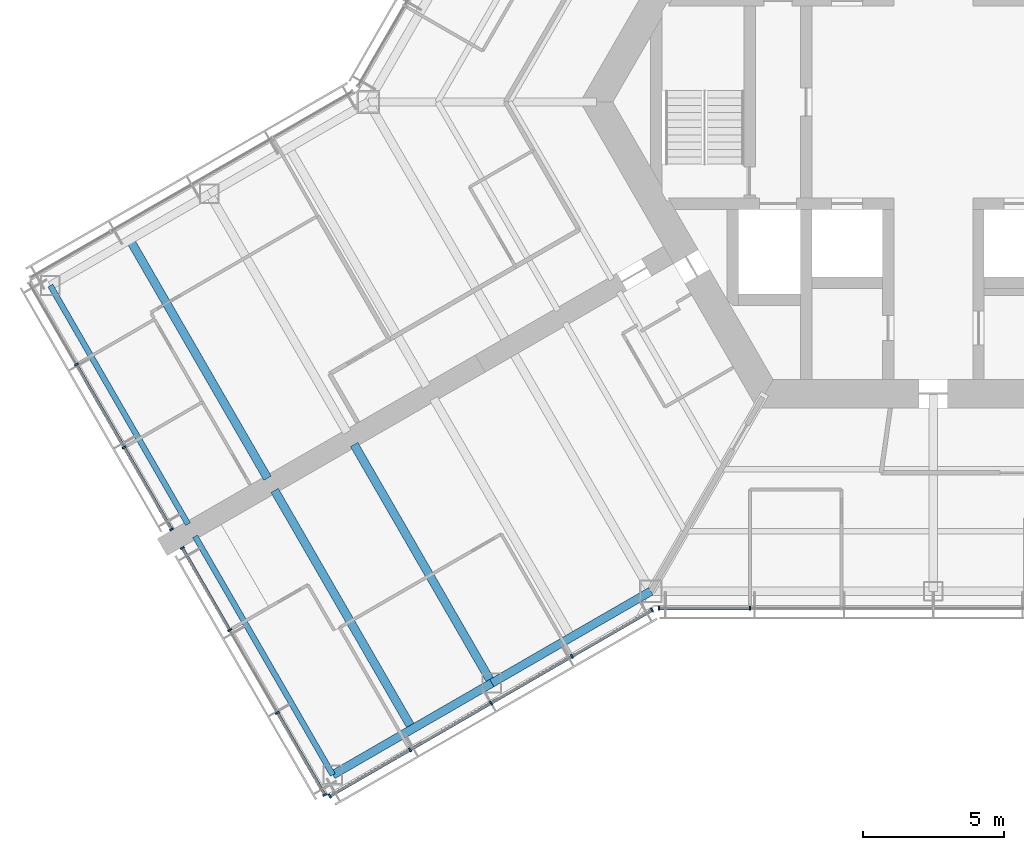
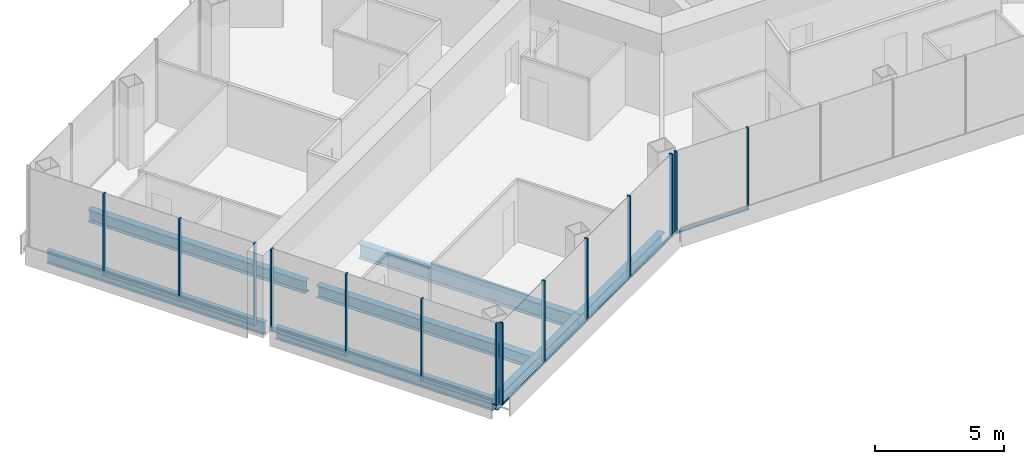
# One storey, part 2 of 19: 23 members, 7 beams, 4 elements without a shape of their own.
"""IFC4 building model written with IfcOpenShell, lengths in metres."""

from ifc_helpers import new_model, si_unit, direction, frame, origin, origin_2d, place, context, subcontext, project, spatial, rectangle, i_section, extrude, material, material_profile, profile_set, type_object, element, aggregate, save


model = new_model("IFC4")

# Units and contexts
model_context = context("Model", 3, precision=1e-05, world=origin(), true_north=direction((0.0, 1.0)))
body_context = subcontext(model_context, "Body", "Model", "MODEL_VIEW")
ifc_project = project(units=[si_unit("LENGTHUNIT", "METRE"), si_unit("AREAUNIT", "SQUARE_METRE"), si_unit("VOLUMEUNIT", "CUBIC_METRE"), si_unit("PLANEANGLEUNIT", "RADIAN"), si_unit("MASSUNIT", "GRAM", prefix="KILO")], contexts=[model_context])

# Site, building, storey
site_placement = place(None, origin())
site = spatial("IfcSite", under=ifc_project, at=site_placement, CompositionType="ELEMENT")
building_placement = place(site_placement, origin())
building = spatial("IfcBuilding", under=site, at=building_placement, Name="Kasaneha Research Tower", CompositionType="ELEMENT")
storey_placement = place(building_placement, frame((0.0, 0.0, 156.5)))
storey = spatial("IfcBuildingStorey", under=building, at=storey_placement, Name="L39", CompositionType="ELEMENT", Elevation=156.5)

# Beams
ifc_material_1 = material(Name="Steel SN490B", Category="steel")
ifc_material_profile_1 = material_profile(ifc_material_1, i_section(OverallWidth=0.300048828125, OverallDepth=0.58203125, WebThickness=0.011962890625, FlangeThickness=0.01708984375, FilletRadius=0.012939453125, at=origin_2d()), Name="H-582x300x12x17")
ifc_profile_set_1 = profile_set([ifc_material_profile_1], Name="Steel SN490B")
beam_type_1 = type_object("IfcBeamType", Name="B2-3 secondary beam H-582x300x12x17", PredefinedType="JOIST", material=ifc_profile_set_1)
for number, where, z_axis, x_axis, name in (
    (1, (-28.44384765625, -4.875, -0.44091796875), (0.499995560238, -0.866027967067, 0.0), (0.866027967067, 0.499995560238, 0.0), "Secondary beam WBBP2 L39"),
    (2, (-18.44384765625, -22.195556640625, -0.44091796875), (-0.499995560238, 0.866027967067, 0.0), (-0.866027967067, -0.499995560238, 0.0), "Secondary beam WBBN2 L39"),
):
    element("IfcBeam", number, at=place(storey_placement, frame(where, z_axis=z_axis, x_axis=x_axis)), inside=storey, type_object=beam_type_1, Name=name, PredefinedType="JOIST", context=body_context, shape_type="SweptSolid", body=[
        extrude(i_section(OverallWidth=0.300048828125, OverallDepth=0.58203125, WebThickness=0.011962890625, FlangeThickness=0.01708984375, FilletRadius=0.012939453125, at=origin_2d()), origin(), (0.0, 0.0, 1.0), 9.75),
    ])

# Curtain wall, members
ifc_material_2 = material(Name="Glass and aluminium", Category="aluminium")
curtain_wall_type = type_object("IfcCurtainWallType", Name="Mid-rise office curtain wall", PredefinedType="USERDEFINED", material=ifc_material_2)
curtain_wall_1_placement = place(storey_placement, origin())
curtain_wall_1 = element("IfcCurtainWall", 3, at=curtain_wall_1_placement, inside=storey, type_object=curtain_wall_type, Name="CW-O2 L39 run 01a", ObjectType="UNITISED CURTAIN WALL", PredefinedType="USERDEFINED")
ifc_material_3 = material(Name="Aluminium 6063-T6", Category="aluminium")
ifc_material_profile_2 = material_profile(ifc_material_3, rectangle(XDim=0.06005859375, YDim=0.14990234375, at=origin_2d()), Name="CW-O2 mullion 60x150")
ifc_profile_set_2 = profile_set([ifc_material_profile_2], Name="Aluminium 6063-T6")
member_type_1 = type_object("IfcMemberType", Name="CW-O2 mullion", PredefinedType="MULLION", material=ifc_profile_set_2)
member_1_placement = place(storey_placement, frame((-9.709228515625, -17.92041015625, 0.0), z_axis=(0.0, 0.0, 1.0), x_axis=(1.0, 0.0, 0.0)))
member_1 = element("IfcMember", 4, at=member_1_placement, type_object=member_type_1, Name="CW-O2 mullion 1", PredefinedType="MULLION", context=body_context, shape_type="SweptSolid", body=[
    extrude(rectangle(XDim=0.06005859375, YDim=0.14990234375, at=origin_2d()), origin(), (0.0, 0.0, 1.0), 3.89990234375),
])
member_2_placement = place(storey_placement, frame((-6.492919921875, -17.92041015625, 0.0), z_axis=(0.0, 0.0, 1.0), x_axis=(1.0, 0.0, 0.0)))
member_2 = element("IfcMember", 5, at=member_2_placement, type_object=member_type_1, Name="CW-O2 mullion 2", PredefinedType="MULLION", context=body_context, shape_type="SweptSolid", body=[
    extrude(rectangle(XDim=0.06005859375, YDim=0.14990234375, at=origin_2d()), origin(), (0.0, 0.0, 1.0), 3.89990234375),
])

curtain_wall_2_placement = place(storey_placement, origin())
curtain_wall_2 = element("IfcCurtainWall", 6, at=curtain_wall_2_placement, inside=storey, type_object=curtain_wall_type, Name="CW-O2 L39 run 10a", ObjectType="UNITISED CURTAIN WALL", PredefinedType="USERDEFINED")
member_3_placement = place(storey_placement, frame((-30.336181640625, -9.297119140625, 0.0), z_axis=(0.0, 0.0, 1.0), x_axis=(0.500000011442, -0.866025397178, 0.0)))
member_3 = element("IfcMember", 7, at=member_3_placement, type_object=member_type_1, Name="CW-O2 mullion 2", PredefinedType="MULLION", context=body_context, shape_type="SweptSolid", body=[
    extrude(rectangle(XDim=0.06005859375, YDim=0.14990234375, at=origin_2d()), origin(), (0.0, 0.0, 1.0), 3.89990234375),
])
member_4_placement = place(storey_placement, frame((-28.64453125, -12.22705078125, 0.0), z_axis=(0.0, 0.0, 1.0), x_axis=(0.500000011442, -0.866025397178, 0.0)))
member_4 = element("IfcMember", 8, at=member_4_placement, type_object=member_type_1, Name="CW-O2 mullion 3", PredefinedType="MULLION", context=body_context, shape_type="SweptSolid", body=[
    extrude(rectangle(XDim=0.06005859375, YDim=0.14990234375, at=origin_2d()), origin(), (0.0, 0.0, 1.0), 3.89990234375),
])
member_5_placement = place(storey_placement, frame((-26.968017578125, -15.131103515625, 0.0), z_axis=(0.0, 0.0, 1.0), x_axis=(0.500000011442, -0.866025397178, 0.0)))
member_5 = element("IfcMember", 9, at=member_5_placement, type_object=member_type_1, Name="CW-O2 mullion 4", PredefinedType="MULLION", context=body_context, shape_type="SweptSolid", body=[
    extrude(rectangle(XDim=0.06005859375, YDim=0.14990234375, at=origin_2d()), origin(), (0.0, 0.0, 1.0), 3.89990234375),
])

curtain_wall_3_placement = place(storey_placement, origin())
curtain_wall_3 = element("IfcCurtainWall", 10, at=curtain_wall_3_placement, inside=storey, type_object=curtain_wall_type, Name="CW-O2 L39 run 11a", ObjectType="UNITISED CURTAIN WALL", PredefinedType="USERDEFINED")
member_6_placement = place(storey_placement, frame((-26.587890625, -15.789306640625, 0.0), z_axis=(0.0, 0.0, 1.0), x_axis=(0.500000011442, -0.866025397178, 0.0)))
member_6 = element("IfcMember", 11, at=member_6_placement, type_object=member_type_1, Name="CW-O2 mullion 1", PredefinedType="MULLION", context=body_context, shape_type="SweptSolid", body=[
    extrude(rectangle(XDim=0.06005859375, YDim=0.14990234375, at=origin_2d()), origin(), (0.0, 0.0, 1.0), 3.89990234375),
])
member_7_placement = place(storey_placement, frame((-24.911376953125, -18.693359375, 0.0), z_axis=(0.0, 0.0, 1.0), x_axis=(0.500000011442, -0.866025397178, 0.0)))
member_7 = element("IfcMember", 12, at=member_7_placement, type_object=member_type_1, Name="CW-O2 mullion 2", PredefinedType="MULLION", context=body_context, shape_type="SweptSolid", body=[
    extrude(rectangle(XDim=0.06005859375, YDim=0.14990234375, at=origin_2d()), origin(), (0.0, 0.0, 1.0), 3.89990234375),
])
member_8_placement = place(storey_placement, frame((-23.2197265625, -21.62353515625, 0.0), z_axis=(0.0, 0.0, 1.0), x_axis=(0.500000011442, -0.866025397178, 0.0)))
member_8 = element("IfcMember", 13, at=member_8_placement, type_object=member_type_1, Name="CW-O2 mullion 3", PredefinedType="MULLION", context=body_context, shape_type="SweptSolid", body=[
    extrude(rectangle(XDim=0.06005859375, YDim=0.14990234375, at=origin_2d()), origin(), (0.0, 0.0, 1.0), 3.89990234375),
])
member_9_placement = place(storey_placement, frame((-21.54296875, -24.527587890625, 0.0), z_axis=(0.0, 0.0, 1.0), x_axis=(0.500000011442, -0.866025397178, 0.0)))
member_9 = element("IfcMember", 14, at=member_9_placement, type_object=member_type_1, Name="CW-O2 mullion 4", PredefinedType="MULLION", context=body_context, shape_type="SweptSolid", body=[
    extrude(rectangle(XDim=0.06005859375, YDim=0.14990234375, at=origin_2d()), origin(), (0.0, 0.0, 1.0), 3.89990234375),
])

curtain_wall_4_placement = place(storey_placement, origin())
curtain_wall_4 = element("IfcCurtainWall", 15, at=curtain_wall_4_placement, inside=storey, type_object=curtain_wall_type, Name="CW-O2 L39 run 12a", ObjectType="UNITISED CURTAIN WALL", PredefinedType="USERDEFINED")
member_10_placement = place(storey_placement, frame((-21.365478515625, -24.5751953125, 0.0), z_axis=(0.0, 0.0, 1.0), x_axis=(0.866025411464, 0.499999986699, 0.0)))
member_10 = element("IfcMember", 16, at=member_10_placement, type_object=member_type_1, Name="CW-O2 mullion 1", PredefinedType="MULLION", context=body_context, shape_type="SweptSolid", body=[
    extrude(rectangle(XDim=0.06005859375, YDim=0.14990234375, at=origin_2d()), origin(), (0.0, 0.0, 1.0), 3.89990234375),
])
member_11_placement = place(storey_placement, frame((-18.52490234375, -22.935302734375, 0.0), z_axis=(0.0, 0.0, 1.0), x_axis=(0.866025411464, 0.499999986699, 0.0)))
member_11 = element("IfcMember", 17, at=member_11_placement, type_object=member_type_1, Name="CW-O2 mullion 2", PredefinedType="MULLION", context=body_context, shape_type="SweptSolid", body=[
    extrude(rectangle(XDim=0.06005859375, YDim=0.14990234375, at=origin_2d()), origin(), (0.0, 0.0, 1.0), 3.89990234375),
])
member_12_placement = place(storey_placement, frame((-15.65869140625, -21.2802734375, 0.0), z_axis=(0.0, 0.0, 1.0), x_axis=(0.866025411464, 0.499999986699, 0.0)))
member_12 = element("IfcMember", 18, at=member_12_placement, type_object=member_type_1, Name="CW-O2 mullion 3", PredefinedType="MULLION", context=body_context, shape_type="SweptSolid", body=[
    extrude(rectangle(XDim=0.06005859375, YDim=0.14990234375, at=origin_2d()), origin(), (0.0, 0.0, 1.0), 3.89990234375),
])
member_13_placement = place(storey_placement, frame((-12.792236328125, -19.62548828125, 0.0), z_axis=(0.0, 0.0, 1.0), x_axis=(0.866025411464, 0.499999986699, 0.0)))
member_13 = element("IfcMember", 19, at=member_13_placement, type_object=member_type_1, Name="CW-O2 mullion 4", PredefinedType="MULLION", context=body_context, shape_type="SweptSolid", body=[
    extrude(rectangle(XDim=0.06005859375, YDim=0.14990234375, at=origin_2d()), origin(), (0.0, 0.0, 1.0), 3.89990234375),
])
member_14_placement = place(storey_placement, frame((-9.951904296875, -17.985595703125, 0.0), z_axis=(0.0, 0.0, 1.0), x_axis=(0.866025411464, 0.499999986699, 0.0)))
member_14 = element("IfcMember", 20, at=member_14_placement, type_object=member_type_1, Name="CW-O2 mullion 5", PredefinedType="MULLION", context=body_context, shape_type="SweptSolid", body=[
    extrude(rectangle(XDim=0.06005859375, YDim=0.14990234375, at=origin_2d()), origin(), (0.0, 0.0, 1.0), 3.89990234375),
])

# Member
ifc_material_4 = material(Name="Aluminium 6063-T6", Category="aluminium")
ifc_material_profile_3 = material_profile(ifc_material_4, rectangle(XDim=0.110107421875, YDim=0.06005859375, at=origin_2d()), Name="CW-O2 transom 110x60")
ifc_profile_set_3 = profile_set([ifc_material_profile_3], Name="Aluminium 6063-T6")
member_type_2 = type_object("IfcMemberType", Name="CW-O2 transom", PredefinedType="USERDEFINED", material=ifc_profile_set_3)
member_15_placement = place(storey_placement, frame((-9.67919921875, -17.92041015625, 0.030029296875), z_axis=(1.0, 0.0, 0.0), x_axis=(0.0, 1.0, 0.0)))
member_15 = element("IfcMember", 21, at=member_15_placement, type_object=member_type_2, Name="CW-O2 transom 1", ObjectType="TRANSOM", PredefinedType="USERDEFINED", context=body_context, shape_type="SweptSolid", body=[
    extrude(rectangle(XDim=0.110107421875, YDim=0.06005859375, at=origin_2d()), origin(), (0.0, 0.0, 1.0), 3.156494140625),
])

aggregate(curtain_wall_1, [member_1, member_2, member_15])

member_16_placement = place(storey_placement, frame((-30.3212890625, -9.322998046875, 0.030029296875), z_axis=(0.499978935311, -0.866037565146, 0.0), x_axis=(0.866037565146, 0.499978935311, 0.0)))
member_16 = element("IfcMember", 22, at=member_16_placement, type_object=member_type_2, Name="CW-O2 transom 2", ObjectType="TRANSOM", PredefinedType="USERDEFINED", context=body_context, shape_type="SweptSolid", body=[
    extrude(rectangle(XDim=0.110107421875, YDim=0.06005859375, at=origin_2d()), origin(), (0.0, 0.0, 1.0), 3.323486328125),
])

member_17_placement = place(storey_placement, frame((-28.629638671875, -12.253173828125, 0.030029296875), z_axis=(0.500021914551, -0.866012751043, 0.0), x_axis=(0.866012751043, 0.500021914551, 0.0)))
member_17 = element("IfcMember", 23, at=member_17_placement, type_object=member_type_2, Name="CW-O2 transom 3", ObjectType="TRANSOM", PredefinedType="USERDEFINED", context=body_context, shape_type="SweptSolid", body=[
    extrude(rectangle(XDim=0.110107421875, YDim=0.06005859375, at=origin_2d()), origin(), (0.0, 0.0, 1.0), 3.293212890625),
])

aggregate(curtain_wall_2, [member_3, member_4, member_5, member_16, member_17])

member_18_placement = place(storey_placement, frame((-26.572998046875, -15.8154296875, 0.030029296875), z_axis=(0.500021914551, -0.866012751043, 0.0), x_axis=(0.866012751043, 0.500021914551, 0.0)))
member_18 = element("IfcMember", 24, at=member_18_placement, type_object=member_type_2, Name="CW-O2 transom 1", ObjectType="TRANSOM", PredefinedType="USERDEFINED", context=body_context, shape_type="SweptSolid", body=[
    extrude(rectangle(XDim=0.110107421875, YDim=0.06005859375, at=origin_2d()), origin(), (0.0, 0.0, 1.0), 3.293212890625),
])

member_19_placement = place(storey_placement, frame((-23.20458984375, -21.6494140625, 0.030029296875), z_axis=(0.500021914551, -0.866012751043, 0.0), x_axis=(0.866012751043, 0.500021914551, 0.0)))
member_19 = element("IfcMember", 25, at=member_19_placement, type_object=member_type_2, Name="CW-O2 transom 3", ObjectType="TRANSOM", PredefinedType="USERDEFINED", context=body_context, shape_type="SweptSolid", body=[
    extrude(rectangle(XDim=0.110107421875, YDim=0.06005859375, at=origin_2d()), origin(), (0.0, 0.0, 1.0), 3.293212890625),
])

aggregate(curtain_wall_3, [member_6, member_7, member_8, member_9, member_18, member_19])

member_20_placement = place(storey_placement, frame((-21.33935546875, -24.56005859375, 0.030029296875), z_axis=(0.866022692473, 0.500004696101, 0.0), x_axis=(-0.500004696101, 0.866022692473, 0.0)))
member_20 = element("IfcMember", 26, at=member_20_placement, type_object=member_type_2, Name="CW-O2 transom 1", ObjectType="TRANSOM", PredefinedType="USERDEFINED", context=body_context, shape_type="SweptSolid", body=[
    extrude(rectangle(XDim=0.110107421875, YDim=0.06005859375, at=origin_2d()), origin(), (0.0, 0.0, 1.0), 3.2197265625),
])

member_21_placement = place(storey_placement, frame((-18.4990234375, -22.920166015625, 0.030029296875), z_axis=(0.86604797581, 0.499960902066, 0.0), x_axis=(-0.499960902066, 0.86604797581, 0.0)))
member_21 = element("IfcMember", 27, at=member_21_placement, type_object=member_type_2, Name="CW-O2 transom 2", ObjectType="TRANSOM", PredefinedType="USERDEFINED", context=body_context, shape_type="SweptSolid", body=[
    extrude(rectangle(XDim=0.110107421875, YDim=0.06005859375, at=origin_2d()), origin(), (0.0, 0.0, 1.0), 3.249755859375),
])

member_22_placement = place(storey_placement, frame((-15.632568359375, -21.265380859375, 0.030029296875), z_axis=(0.866015446554, 0.500017246033, 0.0), x_axis=(-0.500017246033, 0.866015446554, 0.0)))
member_22 = element("IfcMember", 28, at=member_22_placement, type_object=member_type_2, Name="CW-O2 transom 3", ObjectType="TRANSOM", PredefinedType="USERDEFINED", context=body_context, shape_type="SweptSolid", body=[
    extrude(rectangle(XDim=0.110107421875, YDim=0.06005859375, at=origin_2d()), origin(), (0.0, 0.0, 1.0), 3.25),
])

member_23_placement = place(storey_placement, frame((-12.76611328125, -19.6103515625, 0.030029296875), z_axis=(0.866022692473, 0.500004696101, 0.0), x_axis=(-0.500004696101, 0.866022692473, 0.0)))
member_23 = element("IfcMember", 29, at=member_23_placement, type_object=member_type_2, Name="CW-O2 transom 4", ObjectType="TRANSOM", PredefinedType="USERDEFINED", context=body_context, shape_type="SweptSolid", body=[
    extrude(rectangle(XDim=0.110107421875, YDim=0.06005859375, at=origin_2d()), origin(), (0.0, 0.0, 1.0), 3.2197265625),
])

aggregate(curtain_wall_4, [member_10, member_11, member_12, member_13, member_14, member_20, member_21, member_22, member_23])

# Beams
ifc_material_5 = material(Name="Steel SN490B", Category="steel")
ifc_material_profile_4 = material_profile(ifc_material_5, i_section(OverallWidth=0.300048828125, OverallDepth=0.699951171875, WebThickness=0.012939453125, FlangeThickness=0.02392578125, FilletRadius=0.01806640625, at=origin_2d()), Name="H-700x300x13x24")
ifc_profile_set_4 = profile_set([ifc_material_profile_4], Name="Steel SN490B")
beam_type_2 = type_object("IfcBeamType", Name="G4-3 wing girder H-700x300x13x24", PredefinedType="BEAM", material=ifc_profile_set_4)
beam_placement = place(storey_placement, frame((-15.629150390625, -20.570556640625, -0.5), z_axis=(-0.499995560238, 0.866027967067, 0.0), x_axis=(-0.866027967067, -0.499995560238, 0.0)))
element("IfcBeam", 30, at=beam_placement, inside=storey, type_object=beam_type_2, Name="Wing girder WGBN L39", PredefinedType="BEAM", context=body_context, shape_type="SweptSolid", body=[
    extrude(i_section(OverallWidth=0.300048828125, OverallDepth=0.699951171875, WebThickness=0.012939453125, FlangeThickness=0.02392578125, FilletRadius=0.01806640625, at=origin_2d()), origin(), (0.0, 0.0, 1.0), 9.75),
])
ifc_material_6 = material(Name="Steel SN490B", Category="steel")
ifc_material_profile_5 = material_profile(ifc_material_6, i_section(OverallWidth=0.300048828125, OverallDepth=0.58203125, WebThickness=0.011962890625, FlangeThickness=0.01708984375, FilletRadius=0.012939453125, at=origin_2d()), Name="H-582x300x12x17")
ifc_profile_set_5 = profile_set([ifc_material_profile_5], Name="Steel SN490B")
beam_type_3 = type_object("IfcBeamType", Name="SB2-3 spandrel beam H-582x300x12x17", PredefinedType="SPANDREL", material=ifc_profile_set_5)
for number, where, z_axis, x_axis, name in (
    (31, (-10.0, -17.320556640625, -0.44091796875), (-0.866024837091, -0.50000098154, 0.0), (0.50000098154, -0.866024837091, 0.0), "Spandrel beam WSBN1 L39"),
    (32, (-15.629150390625, -20.570556640625, -0.44091796875), (-0.866024837091, -0.50000098154, 0.0), (0.50000098154, -0.866024837091, 0.0), "Spandrel beam WSBN2 L39"),
):
    element("IfcBeam", number, at=place(storey_placement, frame(where, z_axis=z_axis, x_axis=x_axis)), inside=storey, type_object=beam_type_3, Name=name, PredefinedType="SPANDREL", context=body_context, shape_type="SweptSolid", body=[
        extrude(i_section(OverallWidth=0.300048828125, OverallDepth=0.58203125, WebThickness=0.011962890625, FlangeThickness=0.01708984375, FilletRadius=0.012939453125, at=origin_2d()), origin(), (0.0, 0.0, 1.0), 6.5),
    ])
ifc_material_7 = material(Name="Steel SN490B", Category="steel")
ifc_material_profile_6 = material_profile(ifc_material_7, i_section(OverallWidth=0.199951171875, OverallDepth=0.60009765625, WebThickness=0.010986328125, FlangeThickness=0.01708984375, FilletRadius=0.012939453125, at=origin_2d()), Name="H-600x200x11x17")
ifc_profile_set_6 = profile_set([ifc_material_profile_6], Name="Steel SN490B")
beam_type_4 = type_object("IfcBeamType", Name="SB3-3 spandrel beam H-600x200x11x17", PredefinedType="SPANDREL", material=ifc_profile_set_6)
for number, where, z_axis, x_axis, name in (
    (33, (-31.25830078125, -6.5, -0.449951171875), (0.499995560238, -0.866027967067, 0.0), (0.866027967067, 0.499995560238, 0.0), "Spandrel beam WTBP L39"),
    (34, (-21.25830078125, -23.820556640625, -0.449951171875), (-0.499995560238, 0.866027967067, 0.0), (-0.866027967067, -0.499995560238, 0.0), "Spandrel beam WTBN L39"),
):
    element("IfcBeam", number, at=place(storey_placement, frame(where, z_axis=z_axis, x_axis=x_axis)), inside=storey, type_object=beam_type_4, Name=name, PredefinedType="SPANDREL", context=body_context, shape_type="SweptSolid", body=[
        extrude(i_section(OverallWidth=0.199951171875, OverallDepth=0.60009765625, WebThickness=0.010986328125, FlangeThickness=0.01708984375, FilletRadius=0.012939453125, at=origin_2d()), origin(), (0.0, 0.0, 1.0), 9.75),
    ])

save(model, "model.ifc")
